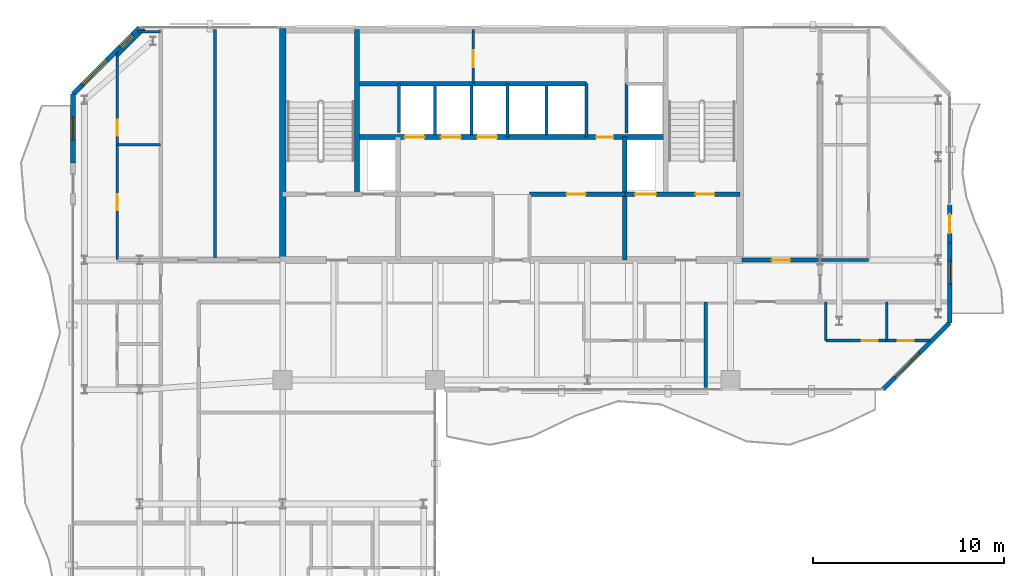
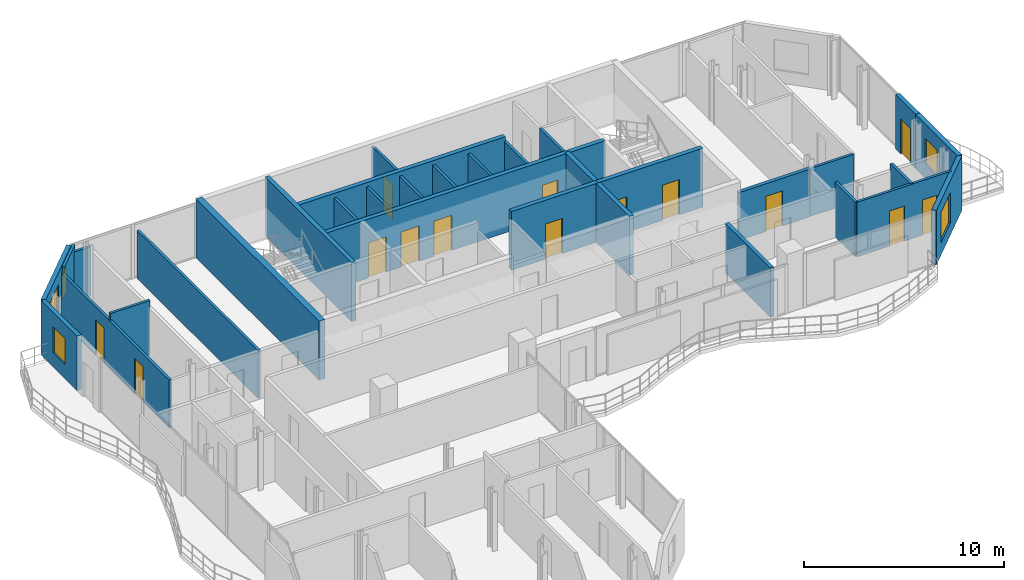
# One storey, part 19 of 23: 31 walls, 14 doors, 5 windows, 19 openings.
"""IFC4 building model written with IfcOpenShell, lengths in metres."""

import ifcopenshell
import ifcopenshell.guid

model = None  # the IFC model being written
_history = None  # IfcOwnerHistory: only IFC2X3 demands one
_inside = {}  # id of a spatial element -> (the spatial element, [elements in it])
_under = {}  # id of a project, library or spatial element -> (it, [spatial elements below it])
_declared = {}  # id of a project -> (the project, [libraries it declares])
_typed = {}  # id of a type object -> (the type object, [elements of that type])
_made_of = {}  # id of a material, layer set ... -> (it, [elements and type objects made of it])


def new_model(schema):
    """Start an empty IFC model of exactly this schema.

    Asked for "IFC4X3", IfcOpenShell would pick the latest addendum, in which some entities
    have other attributes; the version numbers below select the first issue.
    IFC2X3 requires an IfcOwnerHistory on every rooted entity: one is made here for all.
    """
    global model, _history
    if schema == "IFC4X3":
        model = ifcopenshell.file(schema_version=(4, 3, 0, 0))
    else:
        model = ifcopenshell.file(schema=schema)
    _inside.clear()
    _under.clear()
    _declared.clear()
    _typed.clear()
    _made_of.clear()
    _history = None
    if model.schema == "IFC2X3":
        org = make("IfcOrganization", Name="unknown")
        user = make(
            "IfcPersonAndOrganization",
            ThePerson=make("IfcPerson", FamilyName="unknown"),
            TheOrganization=org,
        )
        app = make(
            "IfcApplication",
            ApplicationDeveloper=org,
            Version="unknown",
            ApplicationFullName="unknown",
            ApplicationIdentifier="unknown",
        )
        _history = make(
            "IfcOwnerHistory",
            OwningUser=user,
            OwningApplication=app,
            ChangeAction="ADDED",
            CreationDate=0,
        )
    return model


def make(cls, **values):
    """One entity of the class cls with the attributes given. An attribute that is None is left unset."""
    return model.create_entity(
        cls, **{name: value for name, value in values.items() if value is not None}
    )


def rooted(cls, **values):
    """An entity with a GlobalId (a new one), such as an element, a storey or a relation."""
    return make(cls, GlobalId=ifcopenshell.guid.new(), OwnerHistory=_history, **values)


def si_unit(unit_type, name, prefix=None):
    """IfcSIUnit, for example si_unit("LENGTHUNIT", "METRE", prefix="MILLI")."""
    return make("IfcSIUnit", UnitType=unit_type, Prefix=prefix, Name=name)


def assignment(units):
    """IfcUnitAssignment: the units of a project."""
    return None if units is None else make("IfcUnitAssignment", Units=units)


def point(xyz):
    """IfcCartesianPoint."""
    return None if xyz is None else make("IfcCartesianPoint", Coordinates=xyz)


def direction(xyz):
    """IfcDirection."""
    return None if xyz is None else make("IfcDirection", DirectionRatios=xyz)


def frame(location, z_axis=None, x_axis=None):
    """IfcAxis2Placement3D, a coordinate frame: its origin and axes. An axis left out is left unset."""
    return make(
        "IfcAxis2Placement3D",
        Location=point(location),
        Axis=direction(z_axis),
        RefDirection=direction(x_axis),
    )


def frame_2d(location, x_axis=None):
    """IfcAxis2Placement2D, a coordinate frame in the plane: its origin and x axis."""
    return make(
        "IfcAxis2Placement2D", Location=point(location), RefDirection=direction(x_axis)
    )


def origin():
    """The frame at (0, 0, 0) with its axes left unset."""
    return frame((0.0, 0.0, 0.0))


def place(relative_to, where):
    """IfcLocalPlacement: puts the frame where relative to a parent placement (None: the world)."""
    return make(
        "IfcLocalPlacement", PlacementRelTo=relative_to, RelativePlacement=where
    )


def context(
    kind, dimensions, precision=None, world=None, true_north=None, identifier=None
):
    """IfcGeometricRepresentationContext, for example the 3D "Model" context."""
    return make(
        "IfcGeometricRepresentationContext",
        ContextIdentifier=identifier,
        ContextType=kind,
        CoordinateSpaceDimension=dimensions,
        Precision=precision,
        WorldCoordinateSystem=world,
        TrueNorth=true_north,
    )


def subcontext(parent, identifier, kind, view, scale=None):
    """IfcGeometricRepresentationSubContext, for example "Body" below "Model"."""
    return make(
        "IfcGeometricRepresentationSubContext",
        ContextIdentifier=identifier,
        ContextType=kind,
        ParentContext=parent,
        TargetScale=scale,
        TargetView=view,
    )


def project(units=None, contexts=None):
    """IfcProject with its units and contexts."""
    return rooted(
        "IfcProject",
        Name="project",
        RepresentationContexts=contexts,
        UnitsInContext=assignment(units),
    )


def spatial(cls, under=None, at=None, **own):
    """A site, building, storey or space (cls), placed at a placement, below another one or the project."""
    s = rooted(cls, ObjectPlacement=at, **own)
    if under is not None:
        _under.setdefault(under.id(), (under, []))[1].append(s)
    return s


def profile(cls, at=None, kind="AREA", **sizes):
    """A parametric profile (cls). Its sizes go by their IFC names, for example OverallWidth=200.0."""
    return make(cls, ProfileType=kind, Position=at, **sizes)


def rectangle(**sizes):
    """IfcRectangleProfileDef."""
    return profile("IfcRectangleProfileDef", **sizes)


def extrude(swept, where, along, depth):
    """IfcExtrudedAreaSolid: the profile swept, set in the frame where, extruded along a direction by depth."""
    return make(
        "IfcExtrudedAreaSolid",
        SweptArea=swept,
        Position=where,
        ExtrudedDirection=direction(along),
        Depth=depth,
    )


def shape(context_of_items, identifier, shape_type, items):
    """IfcShapeRepresentation: the items that make up one representation, for example the "Body"."""
    return make(
        "IfcShapeRepresentation",
        ContextOfItems=context_of_items,
        RepresentationIdentifier=identifier,
        RepresentationType=shape_type,
        Items=items,
    )


def material(Name=None, Category=None):
    """IfcMaterial."""
    return make("IfcMaterial", Name=Name, Category=Category)


def layer(
    of_material, thickness, ventilated=None, Name=None, Category=None, Priority=None
):
    """IfcMaterialLayer: one layer of a wall or slab, of a material (None: an air gap)."""
    return make(
        "IfcMaterialLayer",
        Material=of_material,
        LayerThickness=thickness,
        IsVentilated=ventilated,
        Name=Name,
        Category=Category,
        Priority=Priority,
    )


def layer_set(layers, Name=None):
    """IfcMaterialLayerSet."""
    return make("IfcMaterialLayerSet", MaterialLayers=layers, LayerSetName=Name)


def made_of(thing, what):
    """Note that an element or type object is made of a material, layer set ...; save() writes the relation."""
    if what is not None:
        _made_of.setdefault(what.id(), (what, []))[1].append(thing)
    return thing


def type_object(cls, material=None, **own):
    """A type object (cls), such as IfcWallType, which elements share."""
    return made_of(rooted(cls, **own), material)


def element(
    cls,
    number,
    at=None,
    inside=None,
    cuts=None,
    type_object=None,
    material=None,
    context=None,
    identifier="Body",
    shape_type=None,
    held_by="IfcProductDefinitionShape",
    body=None,
    shapes=None,
    **own,
):
    """One element of the class cls, such as IfcWall. Its Tag is "e" and its number.

    at: its placement. inside: the storey or other place that contains it. cuts: it is an
    opening in that element (IfcRelVoidsElement). A single representation is given by context,
    identifier, shape_type and body (its items); several are given by shapes. held_by: the class
    of the entity that holds the representations. save() writes the other relations.
    """
    e = rooted(cls, Tag="e%d" % number, ObjectPlacement=at, **own)
    if body is not None:
        shapes = [shape(context, identifier, shape_type, body)]
    if shapes is not None:
        e.Representation = make(held_by, Representations=shapes)
    if inside is not None:
        _inside.setdefault(inside.id(), (inside, []))[1].append(e)
    if cuts is not None:
        rooted(
            "IfcRelVoidsElement", RelatingBuildingElement=cuts, RelatedOpeningElement=e
        )
    if type_object is not None:
        _typed.setdefault(type_object.id(), (type_object, []))[1].append(e)
    return made_of(e, material)


def fill(opening, filler):
    """IfcRelFillsElement: the door or window that sits in an opening."""
    return rooted(
        "IfcRelFillsElement",
        RelatingOpeningElement=opening,
        RelatedBuildingElement=filler,
    )


def aggregate(whole, parts):
    """IfcRelAggregates: a whole, such as a stair, and the parts it consists of."""
    return rooted("IfcRelAggregates", RelatingObject=whole, RelatedObjects=parts)


def save(model, path):
    """Write the relations noted so far, then the file.

    IfcRelAggregates (storeys below a building ...), IfcRelContainedInSpatialStructure (elements
    in a storey), IfcRelDefinesByType, IfcRelAssociatesMaterial and IfcRelDeclares: one each for
    every whole, place, type object, material and project.
    """
    for whole, parts in _under.values():
        aggregate(whole, parts)
    for where, things in _inside.values():
        rooted(
            "IfcRelContainedInSpatialStructure",
            RelatedElements=things,
            RelatingStructure=where,
        )
    for kind, things in _typed.values():
        rooted("IfcRelDefinesByType", RelatedObjects=things, RelatingType=kind)
    for what, things in _made_of.values():
        rooted("IfcRelAssociatesMaterial", RelatedObjects=things, RelatingMaterial=what)
    for by, libraries in _declared.values():
        rooted("IfcRelDeclares", RelatingContext=by, RelatedDefinitions=libraries)
    model.write(path)


model = new_model("IFC4")

# Units and contexts
model_context = context("Model", 3, precision=1e-05, world=origin(), true_north=direction((0.0, 1.0)))
body_context = subcontext(model_context, "Body", "Model", "MODEL_VIEW")
ifc_project = project(units=[si_unit("LENGTHUNIT", "METRE"), si_unit("AREAUNIT", "SQUARE_METRE"), si_unit("VOLUMEUNIT", "CUBIC_METRE"), si_unit("PLANEANGLEUNIT", "RADIAN"), si_unit("MASSUNIT", "GRAM", prefix="KILO")], contexts=[model_context])

# Site, building, storey
site_placement = place(None, origin())
site = spatial("IfcSite", under=ifc_project, at=site_placement, CompositionType="ELEMENT")
building_placement = place(site_placement, origin())
building = spatial("IfcBuilding", under=site, at=building_placement, Name="Catumbela Crestline Tower", CompositionType="ELEMENT")
storey_placement = place(building_placement, frame((0.0, 0.0, 193.8)))
storey = spatial("IfcBuildingStorey", under=building, at=storey_placement, Name="L50", CompositionType="ELEMENT", Elevation=193.8)

# Walls
ifc_material_1 = material(Name="Concrete C50/60", Category="concrete")
ifc_layer_1 = layer(ifc_material_1, 0.25, Name="Concrete C50/60")
ifc_layer_set_1 = layer_set([ifc_layer_1], Name="Concrete C50/60")
wall_type_1 = type_object("IfcWallType", Name="CW-250D", PredefinedType="SHEAR", material=ifc_layer_set_1)
wall_1_placement = place(storey_placement, frame((19.9, 34.25, 0.0), z_axis=(0.0, 0.0, 1.0), x_axis=(0.0, 1.0, 0.0)))
element("IfcWall", 1, at=wall_1_placement, inside=storey, type_object=wall_type_1, Name="L50 Structural Core Shear Wall WWEB", PredefinedType="SHEAR", context=body_context, shape_type="SweptSolid", body=[
    extrude(rectangle(XDim=8.65, YDim=0.25, at=frame_2d((4.325, 0.0))), origin(), (0.0, 0.0, 1.0), 3.6),
])
wall_2_placement = place(storey_placement, frame((33.95, 30.8, 0.0), z_axis=(0.0, 0.0, 1.0), x_axis=(0.0, 1.0, 0.0)))
element("IfcWall", 2, at=wall_2_placement, inside=storey, type_object=wall_type_1, Name="L50 Structural Core Shear Wall FFE", PredefinedType="SHEAR", context=body_context, shape_type="SweptSolid", body=[
    extrude(rectangle(XDim=6.45, YDim=0.25, at=frame_2d((3.225, 0.0))), origin(), (0.0, 0.0, 1.0), 3.6),
])

# Wall, openings, doors
wall_3_placement = place(storey_placement, frame((33.95, 34.25, 0.0), z_axis=(0.0, 0.0, 1.0), x_axis=(1.0, 0.0, 0.0)))
wall_3 = element("IfcWall", 3, at=wall_3_placement, inside=storey, type_object=wall_type_1, Name="L50 Structural Core Shear Wall ST2S", PredefinedType="SHEAR", context=body_context, shape_type="SweptSolid", body=[
    extrude(rectangle(XDim=6.05, YDim=0.25, at=frame_2d((3.025, 0.0))), origin(), (0.0, 0.0, 1.0), 3.6),
])
opening_1_placement = place(wall_3_placement, frame((3.7, 0.0, 0.0)))
opening_1 = element("IfcOpeningElement", 4, at=opening_1_placement, cuts=wall_3, Name="Opening DF9-100", PredefinedType="OPENING", context=body_context, shape_type="SweptSolid", body=[
    extrude(rectangle(XDim=1.0, YDim=2.15, at=frame_2d((0.5, 1.075))), frame((0.0, 0.135, 0.0), z_axis=(0.0, -1.0, 0.0), x_axis=(1.0, 0.0, 0.0)), (0.0, 0.0, 1.0), 0.27),
])
opening_2_placement = place(wall_3_placement, frame((0.55, 0.0, 0.0)))
opening_2 = element("IfcOpeningElement", 5, at=opening_2_placement, cuts=wall_3, Name="Opening LD-110", PredefinedType="OPENING", context=body_context, shape_type="SweptSolid", body=[
    extrude(rectangle(XDim=1.1, YDim=2.15, at=frame_2d((0.55, 1.075))), frame((0.0, 0.135, 0.0), z_axis=(0.0, -1.0, 0.0), x_axis=(1.0, 0.0, 0.0)), (0.0, 0.0, 1.0), 0.27),
])
ifc_material_2 = material(Name="Stainless steel EN 1.4401", Category="steel")
door_type_1 = type_object("IfcDoorType", Name="DF9-100", OperationType="NOTDEFINED", PredefinedType="DOOR", material=ifc_material_2)
door_1_placement = place(opening_1_placement, origin())
door_1 = element("IfcDoor", 6, at=door_1_placement, inside=storey, type_object=door_type_1, Name="L50 Interior Door DR-L50-ST02", OperationType="SINGLE_SWING_RIGHT", OverallHeight=2.15, OverallWidth=1.0, PredefinedType="DOOR", context=body_context, shape_type="SweptSolid", body=[
    extrude(rectangle(XDim=1.0, YDim=2.15, at=frame_2d((0.5, 1.075))), frame((0.0, 0.025, 0.0), z_axis=(0.0, -1.0, 0.0), x_axis=(1.0, 0.0, 0.0)), (0.0, 0.0, 1.0), 0.05),
])
fill(opening_1, door_1)
door_type_2 = type_object("IfcDoorType", Name="LD-110", OperationType="NOTDEFINED", PredefinedType="DOOR", material=ifc_material_2)
door_2_placement = place(opening_2_placement, origin())
door_2 = element("IfcDoor", 7, at=door_2_placement, inside=storey, type_object=door_type_2, Name="L50 Lift Landing Sliding Door FL-02", OperationType="DOUBLE_DOOR_SLIDING", OverallHeight=2.15, OverallWidth=1.1, PredefinedType="DOOR", context=body_context, shape_type="SweptSolid", body=[
    extrude(rectangle(XDim=1.1, YDim=2.15, at=frame_2d((0.55, 1.075))), frame((0.0, 0.025, 0.0), z_axis=(0.0, -1.0, 0.0), x_axis=(1.0, 0.0, 0.0)), (0.0, 0.0, 1.0), 0.05),
])
fill(opening_2, door_2)

# Wall, opening, door
wall_4_placement = place(storey_placement, frame((28.95, 34.25, 0.0), z_axis=(0.0, 0.0, 1.0), x_axis=(1.0, 0.0, 0.0)))
wall_4 = element("IfcWall", 8, at=wall_4_placement, inside=storey, type_object=wall_type_1, Name="L50 Structural Core Shear Wall LIFTS-E", PredefinedType="SHEAR", context=body_context, shape_type="SweptSolid", body=[
    extrude(rectangle(XDim=5.0, YDim=0.25, at=frame_2d((2.5, 0.0))), origin(), (0.0, 0.0, 1.0), 3.6),
])
opening_3_placement = place(wall_4_placement, frame((1.95, 0.0, 0.0)))
opening_3 = element("IfcOpeningElement", 9, at=opening_3_placement, cuts=wall_4, Name="Opening DF9-100", PredefinedType="OPENING", context=body_context, shape_type="SweptSolid", body=[
    extrude(rectangle(XDim=1.0, YDim=2.15, at=frame_2d((0.5, 1.075))), frame((0.0, 0.135, 0.0), z_axis=(0.0, -1.0, 0.0), x_axis=(1.0, 0.0, 0.0)), (0.0, 0.0, 1.0), 0.27),
])
door_3_placement = place(opening_3_placement, origin())
door_3 = element("IfcDoor", 10, at=door_3_placement, inside=storey, type_object=door_type_1, Name="L50 Interior Door DR-L50-RECL2", OperationType="SINGLE_SWING_RIGHT", OverallHeight=2.15, OverallWidth=1.0, PredefinedType="DOOR", context=body_context, shape_type="SweptSolid", body=[
    extrude(rectangle(XDim=1.0, YDim=2.15, at=frame_2d((0.5, 1.075))), frame((0.0, 0.025, 0.0), z_axis=(0.0, -1.0, 0.0), x_axis=(1.0, 0.0, 0.0)), (0.0, 0.0, 1.0), 0.05),
])
fill(opening_3, door_3)

# Wall, openings, doors
wall_5_placement = place(storey_placement, frame((19.9, 37.25, 0.0), z_axis=(0.0, 0.0, 1.0), x_axis=(1.0, 0.0, 0.0)))
wall_5 = element("IfcWall", 11, at=wall_5_placement, inside=storey, type_object=wall_type_1, Name="L50 Structural Core Shear Wall LIFTN", PredefinedType="SHEAR", context=body_context, shape_type="SweptSolid", body=[
    extrude(rectangle(XDim=16.2, YDim=0.25, at=frame_2d((8.1, 0.0))), origin(), (0.0, 0.0, 1.0), 3.6),
])
opening_4_placement = place(wall_5_placement, frame((12.55, 0.0, 0.0)))
opening_4 = element("IfcOpeningElement", 12, at=opening_4_placement, cuts=wall_5, Name="Opening DF9-090", PredefinedType="OPENING", context=body_context, shape_type="SweptSolid", body=[
    extrude(rectangle(XDim=0.9, YDim=2.15, at=frame_2d((0.45, 1.075))), frame((0.0, 0.135, 0.0), z_axis=(0.0, -1.0, 0.0), x_axis=(1.0, 0.0, 0.0)), (0.0, 0.0, 1.0), 0.27),
])
opening_5_placement = place(wall_5_placement, frame((2.5, 0.0, 0.0)))
opening_5 = element("IfcOpeningElement", 13, at=opening_5_placement, cuts=wall_5, Name="Opening LD-105", PredefinedType="OPENING", context=body_context, shape_type="SweptSolid", body=[
    extrude(rectangle(XDim=1.05, YDim=2.15, at=frame_2d((0.525, 1.075))), frame((0.0, 0.135, 0.0), z_axis=(0.0, -1.0, 0.0), x_axis=(1.0, 0.0, 0.0)), (0.0, 0.0, 1.0), 0.27),
])
opening_6_placement = place(wall_5_placement, frame((4.4, 0.0, 0.0)))
opening_6 = element("IfcOpeningElement", 14, at=opening_6_placement, cuts=wall_5, Name="Opening LD-105", PredefinedType="OPENING", context=body_context, shape_type="SweptSolid", body=[
    extrude(rectangle(XDim=1.05, YDim=2.15, at=frame_2d((0.525, 1.075))), frame((0.0, 0.135, 0.0), z_axis=(0.0, -1.0, 0.0), x_axis=(1.0, 0.0, 0.0)), (0.0, 0.0, 1.0), 0.27),
])
opening_7_placement = place(wall_5_placement, frame((6.3, 0.0, 0.0)))
opening_7 = element("IfcOpeningElement", 15, at=opening_7_placement, cuts=wall_5, Name="Opening LD-105", PredefinedType="OPENING", context=body_context, shape_type="SweptSolid", body=[
    extrude(rectangle(XDim=1.05, YDim=2.15, at=frame_2d((0.525, 1.075))), frame((0.0, 0.135, 0.0), z_axis=(0.0, -1.0, 0.0), x_axis=(1.0, 0.0, 0.0)), (0.0, 0.0, 1.0), 0.27),
])
door_type_3 = type_object("IfcDoorType", Name="DF9-090", OperationType="NOTDEFINED", PredefinedType="DOOR", material=ifc_material_2)
door_4_placement = place(opening_4_placement, origin())
door_4 = element("IfcDoor", 16, at=door_4_placement, inside=storey, type_object=door_type_3, Name="L50 Interior Door DR-L50-CPAS1", OperationType="SINGLE_SWING_LEFT", OverallHeight=2.15, OverallWidth=0.9, PredefinedType="DOOR", context=body_context, shape_type="SweptSolid", body=[
    extrude(rectangle(XDim=0.9, YDim=2.15, at=frame_2d((0.45, 1.075))), frame((0.0, 0.025, 0.0), z_axis=(0.0, -1.0, 0.0), x_axis=(1.0, 0.0, 0.0)), (0.0, 0.0, 1.0), 0.05),
])
fill(opening_4, door_4)
door_type_4 = type_object("IfcDoorType", Name="LD-105", OperationType="NOTDEFINED", PredefinedType="DOOR", material=ifc_material_2)
door_5_placement = place(opening_5_placement, origin())
door_5 = element("IfcDoor", 17, at=door_5_placement, inside=storey, type_object=door_type_4, Name="L50 Lift Landing Sliding Door PL-H1", OperationType="DOUBLE_DOOR_SLIDING", OverallHeight=2.15, OverallWidth=1.05, PredefinedType="DOOR", context=body_context, shape_type="SweptSolid", body=[
    extrude(rectangle(XDim=1.05, YDim=2.15, at=frame_2d((0.525, 1.075))), frame((0.0, 0.025, 0.0), z_axis=(0.0, -1.0, 0.0), x_axis=(1.0, 0.0, 0.0)), (0.0, 0.0, 1.0), 0.05),
])
fill(opening_5, door_5)
door_6_placement = place(opening_6_placement, origin())
door_6 = element("IfcDoor", 18, at=door_6_placement, inside=storey, type_object=door_type_4, Name="L50 Lift Landing Sliding Door PL-H2", OperationType="DOUBLE_DOOR_SLIDING", OverallHeight=2.15, OverallWidth=1.05, PredefinedType="DOOR", context=body_context, shape_type="SweptSolid", body=[
    extrude(rectangle(XDim=1.05, YDim=2.15, at=frame_2d((0.525, 1.075))), frame((0.0, 0.025, 0.0), z_axis=(0.0, -1.0, 0.0), x_axis=(1.0, 0.0, 0.0)), (0.0, 0.0, 1.0), 0.05),
])
fill(opening_6, door_6)
door_7_placement = place(opening_7_placement, origin())
door_7 = element("IfcDoor", 19, at=door_7_placement, inside=storey, type_object=door_type_4, Name="L50 Lift Landing Sliding Door PL-H3", OperationType="DOUBLE_DOOR_SLIDING", OverallHeight=2.15, OverallWidth=1.05, PredefinedType="DOOR", context=body_context, shape_type="SweptSolid", body=[
    extrude(rectangle(XDim=1.05, YDim=2.15, at=frame_2d((0.525, 1.075))), frame((0.0, 0.025, 0.0), z_axis=(0.0, -1.0, 0.0), x_axis=(1.0, 0.0, 0.0)), (0.0, 0.0, 1.0), 0.05),
])
fill(opening_7, door_7)

# Walls
wall_6_placement = place(storey_placement, frame((19.9, 40.05, 0.0), z_axis=(0.0, 0.0, 1.0), x_axis=(1.0, 0.0, 0.0)))
element("IfcWall", 20, at=wall_6_placement, inside=storey, type_object=wall_type_1, Name="L50 Structural Core Shear Wall COREN", PredefinedType="SHEAR", context=body_context, shape_type="SweptSolid", body=[
    extrude(rectangle(XDim=12.05, YDim=0.25, at=frame_2d((6.025, 0.0))), origin(), (0.0, 0.0, 1.0), 3.6),
])
ifc_layer_2 = layer(ifc_material_1, 0.35, Name="Concrete C50/60")
ifc_layer_set_2 = layer_set([ifc_layer_2], Name="Concrete C50/60")
wall_type_2 = type_object("IfcWallType", Name="CW-350B", PredefinedType="SHEAR", material=ifc_layer_set_2)
wall_7_placement = place(storey_placement, frame((16.0, 30.65, 0.0), z_axis=(0.0, 0.0, 1.0), x_axis=(0.0, 1.0, 0.0)))
element("IfcWall", 21, at=wall_7_placement, inside=storey, type_object=wall_type_2, Name="L50 Structural Core Shear Wall W", PredefinedType="SHEAR", context=body_context, shape_type="SweptSolid", body=[
    extrude(rectangle(XDim=12.3, YDim=0.35, at=frame_2d((6.15, 0.0))), origin(), (0.0, 0.0, 1.0), 3.6),
])

# Wall, opening, door
ifc_material_3 = material(Name="Acoustic gypsum and mineral-wool partition")
ifc_layer_3 = layer(ifc_material_3, 0.2, Name="Acoustic gypsum and mineral-wool partition")
ifc_layer_set_3 = layer_set([ifc_layer_3], Name="Acoustic gypsum and mineral-wool partition")
wall_type_3 = type_object("IfcWallType", Name="WC-200", PredefinedType="PARTITIONING", material=ifc_layer_set_3)
wall_8_placement = place(storey_placement, frame((40.1, 30.8, 0.0), z_axis=(0.0, 0.0, 1.0), x_axis=(1.0, 0.0, 0.0)))
wall_8 = element("IfcWall", 22, at=wall_8_placement, inside=storey, type_object=wall_type_3, Name="L50 Interior Partition PW-L50-NERM-ENT", PredefinedType="PARTITIONING", context=body_context, shape_type="SweptSolid", body=[
    extrude(rectangle(XDim=4.1, YDim=0.2, at=frame_2d((2.05, 0.0))), origin(), (0.0, 0.0, 1.0), 2.92),
])
opening_8_placement = place(wall_8_placement, frame((1.575, 0.0, 0.0)))
opening_8 = element("IfcOpeningElement", 23, at=opening_8_placement, cuts=wall_8, Name="Opening DF6-095", PredefinedType="OPENING", context=body_context, shape_type="SweptSolid", body=[
    extrude(rectangle(XDim=0.95, YDim=2.15, at=frame_2d((0.475, 1.075))), frame((0.0, 0.11, 0.0), z_axis=(0.0, -1.0, 0.0), x_axis=(1.0, 0.0, 0.0)), (0.0, 0.0, 1.0), 0.22),
])
ifc_material_4 = material(Name="Aluminium alloy AW-6060-T66", Category="aluminium")
door_type_5 = type_object("IfcDoorType", Name="DF6-095", OperationType="NOTDEFINED", PredefinedType="DOOR", material=ifc_material_4)
door_8_placement = place(opening_8_placement, origin())
door_8 = element("IfcDoor", 24, at=door_8_placement, inside=storey, type_object=door_type_5, Name="L50 Interior Door DR-L50-NERM-ENT", OperationType="SINGLE_SWING_LEFT", OverallHeight=2.15, OverallWidth=0.95, PredefinedType="DOOR", context=body_context, shape_type="SweptSolid", body=[
    extrude(rectangle(XDim=0.95, YDim=2.15, at=frame_2d((0.475, 1.075))), frame((0.0, 0.025, 0.0), z_axis=(0.0, -1.0, 0.0), x_axis=(1.0, 0.0, 0.0)), (0.0, 0.0, 1.0), 0.05),
])
fill(opening_8, door_8)

# Wall, opening, window
ifc_material_5 = material(Name="Angolan grey-ochre granite", Category="masonry")
ifc_layer_4 = layer(ifc_material_5, 0.25, Name="Angolan grey-ochre granite")
ifc_layer_set_4 = layer_set([ifc_layer_4], Name="Angolan grey-ochre granite")
wall_type_4 = type_object("IfcWallType", Name="WE-250", PredefinedType="STANDARD", material=ifc_layer_set_4)
wall_9_placement = place(storey_placement, frame((47.5, 24.0, 0.0), z_axis=(0.0, 0.0, 1.0), x_axis=(0.707106781187, 0.707106781187, 0.0)))
wall_9 = element("IfcWall", 25, at=wall_9_placement, inside=storey, type_object=wall_type_4, Name="L50 Granite Punched Window Wall 4-1", PredefinedType="STANDARD", context=body_context, shape_type="SweptSolid", body=[
    extrude(rectangle(XDim=4.9497, YDim=0.25, at=frame_2d((2.4748, 0.0))), origin(), (0.0, 0.0, 1.0), 3.33),
])
opening_9_placement = place(wall_9_placement, frame((0.8962, 0.0, 0.75)))
opening_9 = element("IfcOpeningElement", 26, at=opening_9_placement, cuts=wall_9, Name="Opening WN-01", PredefinedType="OPENING", context=body_context, shape_type="SweptSolid", body=[
    extrude(rectangle(XDim=1.8, YDim=1.85, at=frame_2d((0.9, 0.925))), frame((0.0, 0.135, 0.0), z_axis=(0.0, -1.0, 0.0), x_axis=(1.0, 0.0, 0.0)), (0.0, 0.0, 1.0), 0.27),
])
ifc_material_6 = material(Name="Low-E laminated solar-control double glazing", Category="glass")
window_type_1 = type_object("IfcWindowType", Name="WF-1800", PartitioningType="SINGLE_PANEL", PredefinedType="WINDOW", material=ifc_material_6)
window_1_placement = place(opening_9_placement, origin())
window_1 = element("IfcWindow", 27, at=window_1_placement, inside=storey, type_object=window_type_1, Name="L50 Facade Vision Window 327", OverallHeight=1.85, OverallWidth=1.8, PartitioningType="SINGLE_PANEL", PredefinedType="WINDOW", context=body_context, shape_type="SweptSolid", body=[
    extrude(rectangle(XDim=1.8, YDim=1.85, at=frame_2d((0.9, 0.925))), frame((0.0, 0.03, 0.0), z_axis=(0.0, -1.0, 0.0), x_axis=(1.0, 0.0, 0.0)), (0.0, 0.0, 1.0), 0.06),
])
fill(opening_9, window_1)

# Wall, opening, door
wall_10_placement = place(storey_placement, frame((51.0, 31.7, 0.0), z_axis=(0.0, 0.0, 1.0), x_axis=(0.0, 1.0, 0.0)))
wall_10 = element("IfcWall", 28, at=wall_10_placement, inside=storey, type_object=wall_type_4, Name="L50 Exterior Threshold Portal Wall DR-L50-WBAL-2", PredefinedType="STANDARD", context=body_context, shape_type="SweptSolid", body=[
    extrude(rectangle(XDim=2.0, YDim=0.25, at=frame_2d((1.0, 0.0))), origin(), (0.0, 0.0, 1.0), 3.33),
])
opening_10_placement = place(wall_10_placement, frame((0.5, 0.0, 0.0)))
opening_10 = element("IfcOpeningElement", 29, at=opening_10_placement, cuts=wall_10, Name="Opening DB-L50-2", PredefinedType="OPENING", context=body_context, shape_type="SweptSolid", body=[
    extrude(rectangle(XDim=1.0, YDim=2.15, at=frame_2d((0.5, 1.075))), frame((0.0, 0.135, 0.0), z_axis=(0.0, -1.0, 0.0), x_axis=(1.0, 0.0, 0.0)), (0.0, 0.0, 1.0), 0.27),
])
door_type_6 = type_object("IfcDoorType", Name="DB-1000", OperationType="NOTDEFINED", PredefinedType="DOOR", material=ifc_material_4)
door_9_placement = place(opening_10_placement, origin())
door_9 = element("IfcDoor", 30, at=door_9_placement, inside=storey, type_object=door_type_6, Name="L50 Wave Balcony Terrace Door 2", OperationType="SINGLE_SWING_LEFT", OverallHeight=2.15, OverallWidth=1.0, PredefinedType="DOOR", context=body_context, shape_type="SweptSolid", body=[
    extrude(rectangle(XDim=1.0, YDim=2.15, at=frame_2d((0.5, 1.075))), frame((0.0, 0.025, 0.0), z_axis=(0.0, -1.0, 0.0), x_axis=(1.0, 0.0, 0.0)), (0.0, 0.0, 1.0), 0.05),
])
fill(opening_10, door_9)

# Wall, opening, window
wall_11_placement = place(storey_placement, frame((51.0, 27.5, 0.0), z_axis=(0.0, 0.0, 1.0), x_axis=(0.0, 1.0, 0.0)))
wall_11 = element("IfcWall", 31, at=wall_11_placement, inside=storey, type_object=wall_type_4, Name="L50 Granite Punched Window Wall 5-1", PredefinedType="STANDARD", context=body_context, shape_type="SweptSolid", body=[
    extrude(rectangle(XDim=4.2, YDim=0.25, at=frame_2d((2.1, 0.0))), origin(), (0.0, 0.0, 1.0), 3.33),
])
opening_11_placement = place(wall_11_placement, frame((2.04, 0.0, 0.85)))
opening_11 = element("IfcOpeningElement", 32, at=opening_11_placement, cuts=wall_11, Name="Opening WN-02", PredefinedType="OPENING", context=body_context, shape_type="SweptSolid", body=[
    extrude(rectangle(XDim=1.2, YDim=1.6, at=frame_2d((0.6, 0.8))), frame((0.0, 0.135, 0.0), z_axis=(0.0, -1.0, 0.0), x_axis=(1.0, 0.0, 0.0)), (0.0, 0.0, 1.0), 0.27),
])
window_type_2 = type_object("IfcWindowType", Name="WO-1200", PartitioningType="SINGLE_PANEL", PredefinedType="WINDOW", material=ifc_material_6)
window_2_placement = place(opening_11_placement, origin())
window_2 = element("IfcWindow", 33, at=window_2_placement, inside=storey, type_object=window_type_2, Name="L50 Facade Vision Window 328", OverallHeight=1.6, OverallWidth=1.2, PartitioningType="SINGLE_PANEL", PredefinedType="WINDOW", context=body_context, shape_type="SweptSolid", body=[
    extrude(rectangle(XDim=1.2, YDim=1.6, at=frame_2d((0.6, 0.8))), frame((0.0, 0.03, 0.0), z_axis=(0.0, -1.0, 0.0), x_axis=(1.0, 0.0, 0.0)), (0.0, 0.0, 1.0), 0.06),
])
fill(opening_11, window_2)

# Wall, openings, windows
wall_12_placement = place(storey_placement, frame((8.5, 43.0, 0.0), z_axis=(0.0, 0.0, 1.0), x_axis=(-0.707106781187, -0.707106781187, 0.0)))
wall_12 = element("IfcWall", 34, at=wall_12_placement, inside=storey, type_object=wall_type_4, Name="L50 Granite Punched Window Wall 8-1", PredefinedType="STANDARD", context=body_context, shape_type="SweptSolid", body=[
    extrude(rectangle(XDim=4.9497, YDim=0.25, at=frame_2d((2.4748, 0.0))), origin(), (0.0, 0.0, 1.0), 3.33),
])
opening_12_placement = place(wall_12_placement, frame((0.54, 0.0, 0.9)))
opening_12 = element("IfcOpeningElement", 35, at=opening_12_placement, cuts=wall_12, Name="Opening WN-03", PredefinedType="OPENING", context=body_context, shape_type="SweptSolid", body=[
    extrude(rectangle(XDim=0.9, YDim=1.55, at=frame_2d((0.45, 0.775))), frame((0.0, 0.135, 0.0), z_axis=(0.0, -1.0, 0.0), x_axis=(1.0, 0.0, 0.0)), (0.0, 0.0, 1.0), 0.27),
])
opening_13_placement = place(wall_12_placement, frame((2.4346, 0.0, 0.75)))
opening_13 = element("IfcOpeningElement", 36, at=opening_13_placement, cuts=wall_12, Name="Opening WN-01", PredefinedType="OPENING", context=body_context, shape_type="SweptSolid", body=[
    extrude(rectangle(XDim=1.8, YDim=1.85, at=frame_2d((0.9, 0.925))), frame((0.0, 0.135, 0.0), z_axis=(0.0, -1.0, 0.0), x_axis=(1.0, 0.0, 0.0)), (0.0, 0.0, 1.0), 0.27),
])
window_3_placement = place(opening_13_placement, origin())
window_3 = element("IfcWindow", 37, at=window_3_placement, inside=storey, type_object=window_type_1, Name="L50 Facade Vision Window 331", OverallHeight=1.85, OverallWidth=1.8, PartitioningType="SINGLE_PANEL", PredefinedType="WINDOW", context=body_context, shape_type="SweptSolid", body=[
    extrude(rectangle(XDim=1.8, YDim=1.85, at=frame_2d((0.9, 0.925))), frame((0.0, 0.03, 0.0), z_axis=(0.0, -1.0, 0.0), x_axis=(1.0, 0.0, 0.0)), (0.0, 0.0, 1.0), 0.06),
])
fill(opening_13, window_3)
window_type_3 = type_object("IfcWindowType", Name="WO-0900", PartitioningType="SINGLE_PANEL", PredefinedType="WINDOW", material=ifc_material_6)
window_4_placement = place(opening_12_placement, origin())
window_4 = element("IfcWindow", 38, at=window_4_placement, inside=storey, type_object=window_type_3, Name="L50 Facade Vision Window 330", OverallHeight=1.55, OverallWidth=0.9, PartitioningType="SINGLE_PANEL", PredefinedType="WINDOW", context=body_context, shape_type="SweptSolid", body=[
    extrude(rectangle(XDim=0.9, YDim=1.55, at=frame_2d((0.45, 0.775))), frame((0.0, 0.03, 0.0), z_axis=(0.0, -1.0, 0.0), x_axis=(1.0, 0.0, 0.0)), (0.0, 0.0, 1.0), 0.06),
])
fill(opening_12, window_4)

# Wall, opening, window
wall_13_placement = place(storey_placement, frame((5.0, 39.5, 0.0), z_axis=(0.0, 0.0, 1.0), x_axis=(0.0, -1.0, 0.0)))
wall_13 = element("IfcWall", 39, at=wall_13_placement, inside=storey, type_object=wall_type_4, Name="L50 Granite Punched Window Wall 9-1", PredefinedType="STANDARD", context=body_context, shape_type="SweptSolid", body=[
    extrude(rectangle(XDim=3.6, YDim=0.25, at=frame_2d((1.8, 0.0))), origin(), (0.0, 0.0, 1.0), 3.33),
])
opening_14_placement = place(wall_13_placement, frame((1.2, 0.0, 0.85)))
opening_14 = element("IfcOpeningElement", 40, at=opening_14_placement, cuts=wall_13, Name="Opening WN-02", PredefinedType="OPENING", context=body_context, shape_type="SweptSolid", body=[
    extrude(rectangle(XDim=1.2, YDim=1.6, at=frame_2d((0.6, 0.8))), frame((0.0, 0.135, 0.0), z_axis=(0.0, -1.0, 0.0), x_axis=(1.0, 0.0, 0.0)), (0.0, 0.0, 1.0), 0.27),
])
window_5_placement = place(opening_14_placement, origin())
window_5 = element("IfcWindow", 41, at=window_5_placement, inside=storey, type_object=window_type_2, Name="L50 Facade Vision Window 332", OverallHeight=1.6, OverallWidth=1.2, PartitioningType="SINGLE_PANEL", PredefinedType="WINDOW", context=body_context, shape_type="SweptSolid", body=[
    extrude(rectangle(XDim=1.2, YDim=1.6, at=frame_2d((0.6, 0.8))), frame((0.0, 0.03, 0.0), z_axis=(0.0, -1.0, 0.0), x_axis=(1.0, 0.0, 0.0)), (0.0, 0.0, 1.0), 0.06),
])
fill(opening_14, window_5)

# Wall, opening, door
ifc_layer_5 = layer(ifc_material_3, 0.15, Name="Acoustic gypsum and mineral-wool partition")
ifc_layer_set_5 = layer_set([ifc_layer_5], Name="Acoustic gypsum and mineral-wool partition")
wall_type_5 = type_object("IfcWallType", Name="WP-150", PredefinedType="PARTITIONING", material=ifc_layer_set_5)
wall_14_placement = place(storey_placement, frame((26.0, 40.05, 0.0), z_axis=(0.0, 0.0, 1.0), x_axis=(0.0, 1.0, 0.0)))
wall_14 = element("IfcWall", 42, at=wall_14_placement, inside=storey, type_object=wall_type_5, Name="L50 Interior Partition PW-L50-CR-WW", PredefinedType="PARTITIONING", context=body_context, shape_type="SweptSolid", body=[
    extrude(rectangle(XDim=2.85, YDim=0.15, at=frame_2d((1.425, 0.0))), origin(), (0.0, 0.0, 1.0), 3.33),
])
opening_15_placement = place(wall_14_placement, frame((0.865, 0.0, 0.0)))
opening_15 = element("IfcOpeningElement", 43, at=opening_15_placement, cuts=wall_14, Name="Opening DF9-090", PredefinedType="OPENING", context=body_context, shape_type="SweptSolid", body=[
    extrude(rectangle(XDim=0.9, YDim=2.15, at=frame_2d((0.45, 1.075))), frame((0.0, 0.085, 0.0), z_axis=(0.0, -1.0, 0.0), x_axis=(1.0, 0.0, 0.0)), (0.0, 0.0, 1.0), 0.17),
])
door_10_placement = place(opening_15_placement, origin())
door_10 = element("IfcDoor", 44, at=door_10_placement, inside=storey, type_object=door_type_3, Name="L50 Interior Door DR-L50-CRWEST", OperationType="SINGLE_SWING_LEFT", OverallHeight=2.15, OverallWidth=0.9, PredefinedType="DOOR", context=body_context, shape_type="SweptSolid", body=[
    extrude(rectangle(XDim=0.9, YDim=2.15, at=frame_2d((0.45, 1.075))), frame((0.0, 0.025, 0.0), z_axis=(0.0, -1.0, 0.0), x_axis=(1.0, 0.0, 0.0)), (0.0, 0.0, 1.0), 0.05),
])
fill(opening_15, door_10)

# Wall
wall_15_placement = place(storey_placement, frame((7.32, 36.85, 0.0), z_axis=(0.0, 0.0, 1.0), x_axis=(1.0, 0.0, 0.0)))
element("IfcWall", 45, at=wall_15_placement, inside=storey, type_object=wall_type_5, Name="L50 Interior Partition PW-L50-NW1-KBM", PredefinedType="PARTITIONING", context=body_context, shape_type="SweptSolid", body=[
    extrude(rectangle(XDim=2.28, YDim=0.15, at=frame_2d((1.14, 0.0))), origin(), (0.0, 0.0, 1.0), 3.33),
])

# Wall, openings, doors
wall_16_placement = place(storey_placement, frame((7.32, 30.8, 0.0), z_axis=(0.0, 0.0, 1.0), x_axis=(0.0, 1.0, 0.0)))
wall_16 = element("IfcWall", 46, at=wall_16_placement, inside=storey, type_object=wall_type_5, Name="L50 Interior Partition PW-L50-NW1-SK1", PredefinedType="PARTITIONING", context=body_context, shape_type="SweptSolid", body=[
    extrude(rectangle(XDim=10.92, YDim=0.15, at=frame_2d((5.46, 0.0))), origin(), (0.0, 0.0, 1.0), 2.92),
])
opening_16_placement = place(wall_16_placement, frame((2.6, 0.0, 0.0)))
opening_16 = element("IfcOpeningElement", 47, at=opening_16_placement, cuts=wall_16, Name="Opening DI-085", PredefinedType="OPENING", context=body_context, shape_type="SweptSolid", body=[
    extrude(rectangle(XDim=0.85, YDim=2.15, at=frame_2d((0.425, 1.075))), frame((0.0, 0.085, 0.0), z_axis=(0.0, -1.0, 0.0), x_axis=(1.0, 0.0, 0.0)), (0.0, 0.0, 1.0), 0.17),
])
opening_17_placement = place(wall_16_placement, frame((6.5117, 0.0, 0.0)))
opening_17 = element("IfcOpeningElement", 48, at=opening_17_placement, cuts=wall_16, Name="Opening DI-085", PredefinedType="OPENING", context=body_context, shape_type="SweptSolid", body=[
    extrude(rectangle(XDim=0.85, YDim=2.15, at=frame_2d((0.425, 1.075))), frame((0.0, 0.085, 0.0), z_axis=(0.0, -1.0, 0.0), x_axis=(1.0, 0.0, 0.0)), (0.0, 0.0, 1.0), 0.17),
])
door_type_7 = type_object("IfcDoorType", Name="DI-085", OperationType="NOTDEFINED", PredefinedType="DOOR", material=ifc_material_4)
door_11_placement = place(opening_16_placement, origin())
door_11 = element("IfcDoor", 49, at=door_11_placement, inside=storey, type_object=door_type_7, Name="L50 Interior Door DR-L50-NW1-KIT", OperationType="SINGLE_SWING_LEFT", OverallHeight=2.15, OverallWidth=0.85, PredefinedType="DOOR", context=body_context, shape_type="SweptSolid", body=[
    extrude(rectangle(XDim=0.85, YDim=2.15, at=frame_2d((0.425, 1.075))), frame((0.0, 0.025, 0.0), z_axis=(0.0, -1.0, 0.0), x_axis=(1.0, 0.0, 0.0)), (0.0, 0.0, 1.0), 0.05),
])
fill(opening_16, door_11)
door_12_placement = place(opening_17_placement, origin())
door_12 = element("IfcDoor", 50, at=door_12_placement, inside=storey, type_object=door_type_7, Name="L50 Interior Door DR-L50-NW1-BTH", OperationType="SINGLE_SWING_RIGHT", OverallHeight=2.15, OverallWidth=0.85, PredefinedType="DOOR", context=body_context, shape_type="SweptSolid", body=[
    extrude(rectangle(XDim=0.85, YDim=2.15, at=frame_2d((0.425, 1.075))), frame((0.0, 0.025, 0.0), z_axis=(0.0, -1.0, 0.0), x_axis=(1.0, 0.0, 0.0)), (0.0, 0.0, 1.0), 0.05),
])
fill(opening_17, door_12)

# Walls
wall_17_placement = place(storey_placement, frame((7.32, 41.5089, 0.0), z_axis=(0.0, 0.0, 1.0), x_axis=(0.707106781187, 0.707106781187, 0.0)))
element("IfcWall", 51, at=wall_17_placement, inside=storey, type_object=wall_type_5, Name="L50 Interior Partition PW-L50-NW1-BTH-BCL-2", PredefinedType="PARTITIONING", context=body_context, shape_type="SweptSolid", body=[
    extrude(rectangle(XDim=2.0087, YDim=0.15, at=frame_2d((1.0044, 0.0))), origin(), (0.0, 0.0, 1.0), 3.33),
])
wall_18_placement = place(storey_placement, frame((8.38, 42.78, 0.0), z_axis=(0.0, 0.0, 1.0), x_axis=(1.0, 0.0, 0.0)))
element("IfcWall", 52, at=wall_18_placement, inside=storey, type_object=wall_type_5, Name="L50 Interior Partition PW-L50-NW1-BTH-BCL-3", PredefinedType="PARTITIONING", context=body_context, shape_type="SweptSolid", body=[
    extrude(rectangle(XDim=1.22, YDim=0.15, at=frame_2d((0.61, 0.0))), origin(), (0.0, 0.0, 1.0), 3.02),
])
wall_19_placement = place(storey_placement, frame((12.45, 30.8, 0.0), z_axis=(0.0, 0.0, 1.0), x_axis=(0.0, 1.0, 0.0)))
element("IfcWall", 53, at=wall_19_placement, inside=storey, type_object=wall_type_5, Name="L50 Interior Partition PW-L50-NWSTM", PredefinedType="PARTITIONING", context=body_context, shape_type="SweptSolid", body=[
    extrude(rectangle(XDim=12.1, YDim=0.15, at=frame_2d((6.05, 0.0))), origin(), (0.0, 0.0, 1.0), 2.92),
])
wall_20_placement = place(storey_placement, frame((44.2, 30.8, 0.0), z_axis=(0.0, 0.0, 1.0), x_axis=(1.0, 0.0, 0.0)))
element("IfcWall", 54, at=wall_20_placement, inside=storey, type_object=wall_type_5, Name="L50 Interior Partition PW-L50-NE1-KBS", PredefinedType="PARTITIONING", context=body_context, shape_type="SweptSolid", body=[
    extrude(rectangle(XDim=2.546, YDim=0.15, at=frame_2d((1.273, 0.0))), origin(), (0.0, 0.0, 1.0), 2.92),
])
for number, where, z_axis, x_axis, name in (
    (55, (44.5, 26.576, 0.0), (0.0, 0.0, 1.0), (0.0, 1.0, 0.0), "L50 Interior Partition PW-L50-S2-KBW"),
    (56, (47.7, 26.576, 0.0), (0.0, 0.0, 1.0), (0.0, 1.0, 0.0), "L50 Interior Partition PW-L50-S2-KBM"),
):
    element("IfcWall", number, at=place(storey_placement, frame(where, z_axis=z_axis, x_axis=x_axis)), inside=storey, type_object=wall_type_5, Name=name, PredefinedType="PARTITIONING", context=body_context, shape_type="SweptSolid", body=[
        extrude(rectangle(XDim=2.024, YDim=0.15, at=frame_2d((1.012, 0.0))), origin(), (0.0, 0.0, 1.0), 3.33),
    ])

# Wall, openings, doors
wall_21_placement = place(storey_placement, frame((44.5, 26.576, 0.0), z_axis=(0.0, 0.0, 1.0), x_axis=(1.0, 0.0, 0.0)))
wall_21 = element("IfcWall", 57, at=wall_21_placement, inside=storey, type_object=wall_type_5, Name="L50 Interior Partition PW-L50-S2-KBD1", PredefinedType="PARTITIONING", context=body_context, shape_type="SweptSolid", body=[
    extrude(rectangle(XDim=5.476, YDim=0.15, at=frame_2d((2.738, 0.0))), origin(), (0.0, 0.0, 1.0), 3.33),
])
opening_18_placement = place(wall_21_placement, frame((1.8821, 0.0, 0.0)))
opening_18 = element("IfcOpeningElement", 58, at=opening_18_placement, cuts=wall_21, Name="Opening DI-085", PredefinedType="OPENING", context=body_context, shape_type="SweptSolid", body=[
    extrude(rectangle(XDim=0.85, YDim=2.15, at=frame_2d((0.425, 1.075))), frame((0.0, 0.085, 0.0), z_axis=(0.0, -1.0, 0.0), x_axis=(1.0, 0.0, 0.0)), (0.0, 0.0, 1.0), 0.17),
])
opening_19_placement = place(wall_21_placement, frame((3.7704, 0.0, 0.0)))
opening_19 = element("IfcOpeningElement", 59, at=opening_19_placement, cuts=wall_21, Name="Opening DI-085", PredefinedType="OPENING", context=body_context, shape_type="SweptSolid", body=[
    extrude(rectangle(XDim=0.85, YDim=2.15, at=frame_2d((0.425, 1.075))), frame((0.0, 0.085, 0.0), z_axis=(0.0, -1.0, 0.0), x_axis=(1.0, 0.0, 0.0)), (0.0, 0.0, 1.0), 0.17),
])
door_13_placement = place(opening_18_placement, origin())
door_13 = element("IfcDoor", 60, at=door_13_placement, inside=storey, type_object=door_type_7, Name="L50 Interior Door DR-L50-S2-BTH", OperationType="SINGLE_SWING_RIGHT", OverallHeight=2.15, OverallWidth=0.85, PredefinedType="DOOR", context=body_context, shape_type="SweptSolid", body=[
    extrude(rectangle(XDim=0.85, YDim=2.15, at=frame_2d((0.425, 1.075))), frame((0.0, 0.025, 0.0), z_axis=(0.0, -1.0, 0.0), x_axis=(1.0, 0.0, 0.0)), (0.0, 0.0, 1.0), 0.05),
])
fill(opening_18, door_13)
door_14_placement = place(opening_19_placement, origin())
door_14 = element("IfcDoor", 61, at=door_14_placement, inside=storey, type_object=door_type_7, Name="L50 Interior Door DR-L50-S2-KIT", OperationType="SINGLE_SWING_LEFT", OverallHeight=2.15, OverallWidth=0.85, PredefinedType="DOOR", context=body_context, shape_type="SweptSolid", body=[
    extrude(rectangle(XDim=0.85, YDim=2.15, at=frame_2d((0.425, 1.075))), frame((0.0, 0.025, 0.0), z_axis=(0.0, -1.0, 0.0), x_axis=(1.0, 0.0, 0.0)), (0.0, 0.0, 1.0), 0.05),
])
fill(opening_19, door_14)

# Walls
ifc_layer_6 = layer(ifc_material_3, 0.2, Name="Acoustic gypsum and mineral-wool partition")
ifc_layer_set_6 = layer_set([ifc_layer_6], Name="Acoustic gypsum and mineral-wool partition")
wall_type_6 = type_object("IfcWallType", Name="WY-200", PredefinedType="PARTITIONING", material=ifc_layer_set_6)
wall_22_placement = place(storey_placement, frame((38.2, 24.1, 0.0), z_axis=(0.0, 0.0, 1.0), x_axis=(0.0, 1.0, 0.0)))
element("IfcWall", 62, at=wall_22_placement, inside=storey, type_object=wall_type_6, Name="L50 Interior Partition PW-L50-RSPP-2", PredefinedType="PARTITIONING", context=body_context, shape_type="SweptSolid", body=[
    extrude(rectangle(XDim=4.5, YDim=0.2, at=frame_2d((2.25, 0.0))), origin(), (0.0, 0.0, 1.0), 3.02),
])
ifc_layer_7 = layer(ifc_material_3, 0.15, Name="Acoustic gypsum and mineral-wool partition")
ifc_layer_set_7 = layer_set([ifc_layer_7], Name="Acoustic gypsum and mineral-wool partition")
wall_type_7 = type_object("IfcWallType", Name="WS-150", PredefinedType="PLUMBINGWALL", material=ifc_layer_set_7)
wall_23_placement = place(storey_placement, frame((22.1, 37.4897, 0.0), z_axis=(0.0, 0.0, 1.0), x_axis=(0.0, 1.0, 0.0)))
element("IfcWall", 63, at=wall_23_placement, inside=storey, type_object=wall_type_7, Name="L50 Interior Partition PW-L50-SHH0", PredefinedType="PLUMBINGWALL", context=body_context, shape_type="SweptSolid", body=[
    extrude(rectangle(XDim=2.5603, YDim=0.15, at=frame_2d((1.2801, 0.0))), origin(), (0.0, 0.0, 1.0), 3.33),
])
wall_24_placement = place(storey_placement, frame((27.8, 37.25, 0.0), z_axis=(0.0, 0.0, 1.0), x_axis=(0.0, 1.0, 0.0)))
element("IfcWall", 64, at=wall_24_placement, inside=storey, type_object=wall_type_7, Name="L50 Interior Partition PW-L50-SHH3", PredefinedType="PLUMBINGWALL", context=body_context, shape_type="SweptSolid", body=[
    extrude(rectangle(XDim=2.8, YDim=0.15, at=frame_2d((1.4, 0.0))), origin(), (0.0, 0.0, 1.0), 3.33),
])
for number, where, z_axis, x_axis, name in (
    (65, (24.0, 37.35, 0.0), (0.0, 0.0, 1.0), (0.0, 1.0, 0.0), "L50 Interior Partition PW-L50-SHH1"),
    (66, (25.9, 37.35, 0.0), (0.0, 0.0, 1.0), (0.0, 1.0, 0.0), "L50 Interior Partition PW-L50-SHH2"),
):
    element("IfcWall", number, at=place(storey_placement, frame(where, z_axis=z_axis, x_axis=x_axis)), inside=storey, type_object=wall_type_7, Name=name, PredefinedType="PLUMBINGWALL", context=body_context, shape_type="SweptSolid", body=[
        extrude(rectangle(XDim=2.6, YDim=0.15, at=frame_2d((1.3, 0.0))), origin(), (0.0, 0.0, 1.0), 3.33),
    ])
wall_25_placement = place(storey_placement, frame((31.95, 37.25, 0.0), z_axis=(0.0, 0.0, 1.0), x_axis=(0.0, 1.0, 0.0)))
element("IfcWall", 67, at=wall_25_placement, inside=storey, type_object=wall_type_7, Name="L50 Interior Partition PW-L50-SHEX2E", PredefinedType="PLUMBINGWALL", context=body_context, shape_type="SweptSolid", body=[
    extrude(rectangle(XDim=2.8, YDim=0.15, at=frame_2d((1.4, 0.0))), origin(), (0.0, 0.0, 1.0), 3.33),
])
wall_26_placement = place(storey_placement, frame((29.85, 37.35, 0.0), z_axis=(0.0, 0.0, 1.0), x_axis=(0.0, 1.0, 0.0)))
element("IfcWall", 68, at=wall_26_placement, inside=storey, type_object=wall_type_7, Name="L50 Interior Partition PW-L50-SHEX1", PredefinedType="PLUMBINGWALL", context=body_context, shape_type="SweptSolid", body=[
    extrude(rectangle(XDim=2.6, YDim=0.15, at=frame_2d((1.3, 0.0))), origin(), (0.0, 0.0, 1.0), 3.33),
])
wall_27_placement = place(storey_placement, frame((34.05, 37.4734, 0.0), z_axis=(0.0, 0.0, 1.0), x_axis=(0.0, 1.0, 0.0)))
element("IfcWall", 69, at=wall_27_placement, inside=storey, type_object=wall_type_7, Name="L50 Interior Partition PW-L50-RISW", PredefinedType="PLUMBINGWALL", context=body_context, shape_type="SweptSolid", body=[
    extrude(rectangle(XDim=2.5766, YDim=0.15, at=frame_2d((1.2883, 0.0))), origin(), (0.0, 0.0, 1.0), 3.33),
])

save(model, "model.ifc")
